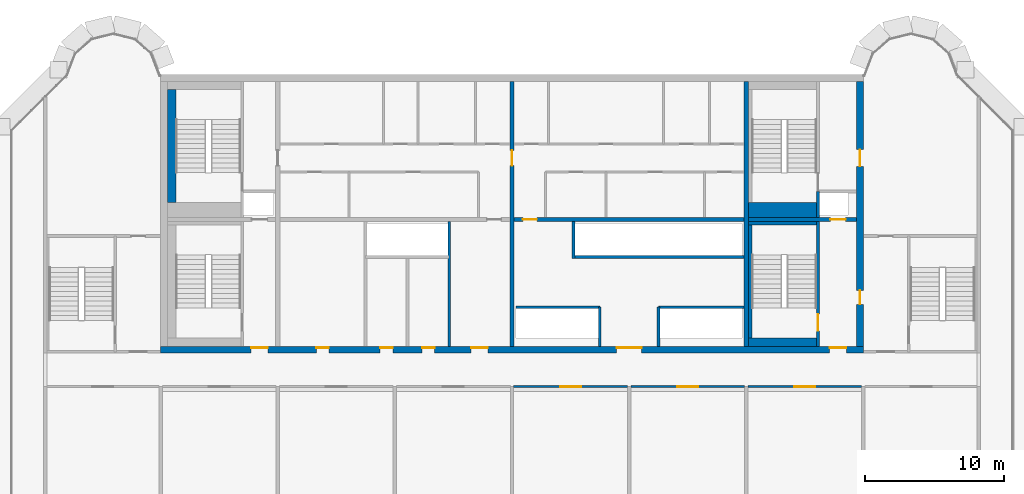
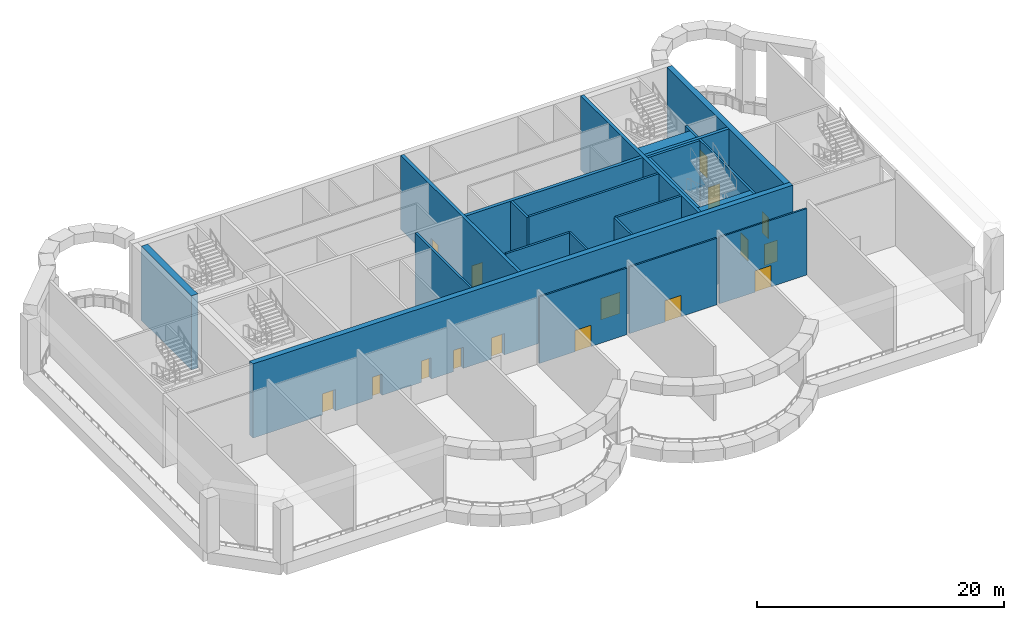
# One storey, part 3 of 11: 23 walls, 16 doors, 16 openings.
"""IFC4 building model written with IfcOpenShell, lengths in metres."""

from ifc_helpers import new_model, si_unit, direction, frame, frame_2d, origin, place, context, subcontext, project, spatial, rectangle, extrude, source, transform, mapped, material, layer, layer_set, type_object, element, fill, save


model = new_model("IFC4")

# Units and contexts
model_context = context("Model", 3, precision=1e-05, world=origin(), true_north=direction((0.0, 1.0)))
body_context = subcontext(model_context, "Body", "Model", "MODEL_VIEW")
ifc_project = project(units=[si_unit("LENGTHUNIT", "METRE"), si_unit("AREAUNIT", "SQUARE_METRE"), si_unit("VOLUMEUNIT", "CUBIC_METRE"), si_unit("PLANEANGLEUNIT", "RADIAN"), si_unit("MASSUNIT", "GRAM", prefix="KILO")], contexts=[model_context])

# Site, building, storey
site_placement = place(None, origin())
site = spatial("IfcSite", under=ifc_project, at=site_placement, CompositionType="ELEMENT")
building_placement = place(site_placement, origin())
building = spatial("IfcBuilding", under=site, at=building_placement, Name="Vanashikhar Sky Hotel", CompositionType="ELEMENT")
storey_placement = place(building_placement, frame((0.0, 0.0, 270.10009765625)))
storey = spatial("IfcBuildingStorey", under=building, at=storey_placement, Name="L65", CompositionType="ELEMENT", Elevation=270.10009765625)

# Wall, openings, doors
ifc_material_1 = material(Name="Concrete M50", Category="concrete")
ifc_layer_1 = layer(ifc_material_1, 0.5)
ifc_layer_set_1 = layer_set([ifc_layer_1], Name="RC core shell wall 500 Concrete M50")
wall_type_1 = type_object("IfcWallType", Name="RC core shell wall 500 Concrete M50", PredefinedType="SHEAR", material=ifc_layer_set_1)
shared_shape_1 = source(origin(), body_context, "Body", "SweptSolid", [
    extrude(rectangle(XDim=50.400146484375, YDim=0.5, at=frame_2d((25.2001953125, 0.0))), origin(), (0.0, 0.0, 1.0), 7.31982421875),
])
wall_1_placement = place(storey_placement, frame((25.199951171875, 22.25, 0.0), z_axis=(0.0, 0.0, 1.0), x_axis=(1.0, 0.0, 0.0)))
wall_1 = element("IfcWall", 1, at=wall_1_placement, inside=storey, type_object=wall_type_1, Name="KW-L65-KS", PredefinedType="SHEAR", context=body_context, shape_type="MappedRepresentation", body=[
    mapped(shared_shape_1, transform((0.0, 0.0, 0.0), scale=1.0)),
])
shared_shape_2 = source(origin(), body_context, "Body", "SweptSolid", [
    extrude(rectangle(XDim=1.199951171875, YDim=2.10009765625, at=frame_2d((0.60009765625, 1.050048828125))), frame((0.0, 0.260009765625, 0.0), z_axis=(0.0, -1.0, 0.0), x_axis=(1.0, 0.0, 0.0)), (0.0, 0.0, 1.0), 0.52001953125),
])
opening_1_placement = place(wall_1_placement, frame((22.27490234375, 0.0, 0.0)))
opening_1 = element("IfcOpeningElement", 2, at=opening_1_placement, cuts=wall_1, Name="Opening DC-4-B", PredefinedType="OPENING", context=body_context, shape_type="MappedRepresentation", body=[
    mapped(shared_shape_2, transform((0.0, 0.0, 0.0), scale=1.0)),
])
shared_shape_3 = source(origin(), body_context, "Body", "SweptSolid", [
    extrude(rectangle(XDim=0.89990234375, YDim=2.10009765625, at=frame_2d((0.449951171875, 1.050048828125))), frame((0.0, 0.260009765625, 0.0), z_axis=(0.0, -1.0, 0.0), x_axis=(1.0, 0.0, 0.0)), (0.0, 0.0, 1.0), 0.52001953125),
])
opening_2_placement = place(wall_1_placement, frame((15.75, 0.0, 0.0)))
opening_2 = element("IfcOpeningElement", 3, at=opening_2_placement, cuts=wall_1, Name="Opening DC-4-A", PredefinedType="OPENING", context=body_context, shape_type="MappedRepresentation", body=[
    mapped(shared_shape_3, transform((0.0, 0.0, 0.0), scale=1.0)),
])
opening_3_placement = place(wall_1_placement, frame((18.75, 0.0, 0.0)))
opening_3 = element("IfcOpeningElement", 4, at=opening_3_placement, cuts=wall_1, Name="Opening DC-4-A", PredefinedType="OPENING", context=body_context, shape_type="MappedRepresentation", body=[
    mapped(shared_shape_3, transform((0.0, 0.0, 0.0), scale=1.0)),
])
opening_4_placement = place(wall_1_placement, frame((11.175048828125, 0.0, 0.0)))
opening_4 = element("IfcOpeningElement", 5, at=opening_4_placement, cuts=wall_1, Name="Opening DC-4-A", PredefinedType="OPENING", context=body_context, shape_type="MappedRepresentation", body=[
    mapped(shared_shape_3, transform((0.0, 0.0, 0.0), scale=1.0)),
])
shared_shape_4 = source(origin(), body_context, "Body", "SweptSolid", [
    extrude(rectangle(XDim=1.800048828125, YDim=2.10009765625, at=frame_2d((0.89990234375, 1.050048828125))), frame((0.0, 0.260009765625, 0.0), z_axis=(0.0, -1.0, 0.0), x_axis=(1.0, 0.0, 0.0)), (0.0, 0.0, 1.0), 0.52001953125),
])
opening_5_placement = place(wall_1_placement, frame((32.699951171875, 0.0, 0.0)))
opening_5 = element("IfcOpeningElement", 6, at=opening_5_placement, cuts=wall_1, Name="Opening DC-3", PredefinedType="OPENING", context=body_context, shape_type="MappedRepresentation", body=[
    mapped(shared_shape_4, transform((0.0, 0.0, 0.0), scale=1.0)),
])
opening_6_placement = place(wall_1_placement, frame((6.5, 0.0, 0.0)))
opening_6 = element("IfcOpeningElement", 7, at=opening_6_placement, cuts=wall_1, Name="Opening DC-2", PredefinedType="OPENING", context=body_context, shape_type="MappedRepresentation", body=[
    mapped(shared_shape_2, transform((0.0, 0.0, 0.0), scale=1.0)),
])
opening_7_placement = place(wall_1_placement, frame((47.97509765625, 0.0, 0.0)))
opening_7 = element("IfcOpeningElement", 8, at=opening_7_placement, cuts=wall_1, Name="Opening DC-2", PredefinedType="OPENING", context=body_context, shape_type="MappedRepresentation", body=[
    mapped(shared_shape_2, transform((0.0, 0.0, 0.0), scale=1.0)),
])
ifc_material_2 = material(Name="Steel", Category="steel")
door_type_1 = type_object("IfcDoorType", Name="Service door 1200 FD60", OperationType="NOTDEFINED", PredefinedType="DOOR", material=ifc_material_2)
shared_shape_5 = source(origin(), body_context, "Body", "SweptSolid", [
    extrude(rectangle(XDim=1.199951171875, YDim=2.10009765625, at=frame_2d((0.60009765625, 1.050048828125))), frame((0.0, 0.1748046875, 0.0), z_axis=(0.0, -1.0, 0.0), x_axis=(1.0, 0.0, 0.0)), (0.0, 0.0, 1.0), 0.050048828125),
])
door_1_placement = place(opening_1_placement, origin())
door_1 = element("IfcDoor", 9, at=door_1_placement, inside=storey, type_object=door_type_1, Name="Service door 1200 FD60", OperationType="SINGLE_SWING_RIGHT", OverallHeight=2.10009765625, OverallWidth=1.199951171875, PredefinedType="DOOR", context=body_context, shape_type="MappedRepresentation", body=[
    mapped(shared_shape_5, transform((0.0, 0.0, 0.0), scale=1.0)),
])
fill(opening_1, door_1)
door_type_2 = type_object("IfcDoorType", Name="Firefighting lobby door 1200 FD120", OperationType="NOTDEFINED", PredefinedType="DOOR", material=ifc_material_2)
door_2_placement = place(opening_6_placement, origin())
door_2 = element("IfcDoor", 10, at=door_2_placement, inside=storey, type_object=door_type_2, Name="Firefighting lobby door 1200 FD120", OperationType="SINGLE_SWING_LEFT", OverallHeight=2.10009765625, OverallWidth=1.199951171875, PredefinedType="DOOR", context=body_context, shape_type="MappedRepresentation", body=[
    mapped(shared_shape_5, transform((0.0, 0.0, 0.0), scale=1.0)),
])
fill(opening_6, door_2)
door_3_placement = place(opening_7_placement, origin())
door_3 = element("IfcDoor", 11, at=door_3_placement, inside=storey, type_object=door_type_2, Name="Firefighting lobby door 1200 FD120", OperationType="SINGLE_SWING_RIGHT", OverallHeight=2.10009765625, OverallWidth=1.199951171875, PredefinedType="DOOR", context=body_context, shape_type="MappedRepresentation", body=[
    mapped(shared_shape_5, transform((0.0, 0.0, 0.0), scale=1.0)),
])
fill(opening_7, door_3)
door_type_3 = type_object("IfcDoorType", Name="Service door 900 FD60", OperationType="NOTDEFINED", PredefinedType="DOOR", material=ifc_material_2)
shared_shape_6 = source(origin(), body_context, "Body", "SweptSolid", [
    extrude(rectangle(XDim=0.89990234375, YDim=2.10009765625, at=frame_2d((0.449951171875, 1.050048828125))), frame((0.0, 0.1748046875, 0.0), z_axis=(0.0, -1.0, 0.0), x_axis=(1.0, 0.0, 0.0)), (0.0, 0.0, 1.0), 0.050048828125),
])
door_4_placement = place(opening_2_placement, origin())
door_4 = element("IfcDoor", 12, at=door_4_placement, inside=storey, type_object=door_type_3, Name="Service door 900 FD60", OperationType="SINGLE_SWING_LEFT", OverallHeight=2.10009765625, OverallWidth=0.89990234375, PredefinedType="DOOR", context=body_context, shape_type="MappedRepresentation", body=[
    mapped(shared_shape_6, transform((0.0, 0.0, 0.0), scale=1.0)),
])
fill(opening_2, door_4)
door_5_placement = place(opening_3_placement, origin())
door_5 = element("IfcDoor", 13, at=door_5_placement, inside=storey, type_object=door_type_3, Name="Service door 900 FD60", OperationType="SINGLE_SWING_RIGHT", OverallHeight=2.10009765625, OverallWidth=0.89990234375, PredefinedType="DOOR", context=body_context, shape_type="MappedRepresentation", body=[
    mapped(shared_shape_6, transform((0.0, 0.0, 0.0), scale=1.0)),
])
fill(opening_3, door_5)
door_6_placement = place(opening_4_placement, origin())
door_6 = element("IfcDoor", 14, at=door_6_placement, inside=storey, type_object=door_type_3, Name="Service door 900 FD60", OperationType="SINGLE_SWING_LEFT", OverallHeight=2.10009765625, OverallWidth=0.89990234375, PredefinedType="DOOR", context=body_context, shape_type="MappedRepresentation", body=[
    mapped(shared_shape_6, transform((0.0, 0.0, 0.0), scale=1.0)),
])
fill(opening_4, door_6)
ifc_material_3 = material(Name="Glass", Category="glass")
door_type_4 = type_object("IfcDoorType", Name="Lift lobby entrance door 1800 FD60", OperationType="NOTDEFINED", PredefinedType="DOOR", material=ifc_material_3)
shared_shape_7 = source(origin(), body_context, "Body", "SweptSolid", [
    extrude(rectangle(XDim=1.800048828125, YDim=2.10009765625, at=frame_2d((0.89990234375, 1.050048828125))), frame((0.0, 0.1748046875, 0.0), z_axis=(0.0, -1.0, 0.0), x_axis=(1.0, 0.0, 0.0)), (0.0, 0.0, 1.0), 0.050048828125),
])
door_7_placement = place(opening_5_placement, origin())
door_7 = element("IfcDoor", 15, at=door_7_placement, inside=storey, type_object=door_type_4, Name="Lift lobby entrance door 1800 FD60", OperationType="DOUBLE_DOOR_SINGLE_SWING", OverallHeight=2.10009765625, OverallWidth=1.800048828125, PredefinedType="DOOR", context=body_context, shape_type="MappedRepresentation", body=[
    mapped(shared_shape_7, transform((0.0, 0.0, 0.0), scale=1.0)),
])
fill(opening_5, door_7)

shared_shape_8 = source(origin(), body_context, "Body", "SweptSolid", [
    extrude(rectangle(XDim=19.0, YDim=0.5, at=frame_2d((9.5, 0.0))), origin(), (0.0, 0.0, 1.0), 7.31982421875),
])
wall_2_placement = place(storey_placement, frame((75.35009765625, 22.5, 0.0), z_axis=(0.0, 0.0, 1.0), x_axis=(0.0, 1.0, 0.0)))
wall_2 = element("IfcWall", 16, at=wall_2_placement, inside=storey, type_object=wall_type_1, Name="KW-L65-KE", PredefinedType="SHEAR", context=body_context, shape_type="MappedRepresentation", body=[
    mapped(shared_shape_8, transform((0.0, 0.0, 0.0), scale=1.0)),
])
shared_shape_9 = source(origin(), body_context, "Body", "SweptSolid", [
    extrude(rectangle(XDim=1.0, YDim=2.10009765625, at=frame_2d((0.5, 1.050048828125))), frame((0.0, 0.260009765625, 0.0), z_axis=(0.0, -1.0, 0.0), x_axis=(1.0, 0.0, 0.0)), (0.0, 0.0, 1.0), 0.52001953125),
])
opening_8_placement = place(wall_2_placement, frame((3.0, 0.0, 0.0)))
opening_8 = element("IfcOpeningElement", 17, at=opening_8_placement, cuts=wall_2, Name="Opening DC-5", PredefinedType="OPENING", context=body_context, shape_type="MappedRepresentation", body=[
    mapped(shared_shape_9, transform((0.0, 0.0, 0.0), scale=1.0)),
])
opening_9_placement = place(wall_2_placement, frame((12.89990234375, 0.0, 0.0)))
opening_9 = element("IfcOpeningElement", 18, at=opening_9_placement, cuts=wall_2, Name="Opening DC-4-D", PredefinedType="OPENING", context=body_context, shape_type="MappedRepresentation", body=[
    mapped(shared_shape_2, transform((0.0, 0.0, 0.0), scale=1.0)),
])
door_type_5 = type_object("IfcDoorType", Name="Refuge door 1000 FD120", OperationType="NOTDEFINED", PredefinedType="DOOR", material=ifc_material_2)
shared_shape_10 = source(origin(), body_context, "Body", "SweptSolid", [
    extrude(rectangle(XDim=1.0, YDim=2.10009765625, at=frame_2d((0.5, 1.050048828125))), frame((0.0, 0.02490234375, 0.0), z_axis=(0.0, -1.0, 0.0), x_axis=(1.0, 0.0, 0.0)), (0.0, 0.0, 1.0), 0.050048828125),
])
door_8_placement = place(opening_8_placement, origin())
door_8 = element("IfcDoor", 19, at=door_8_placement, inside=storey, type_object=door_type_5, Name="Refuge door 1000 FD120", OperationType="SINGLE_SWING_RIGHT", OverallHeight=2.10009765625, OverallWidth=1.0, PredefinedType="DOOR", context=body_context, shape_type="MappedRepresentation", body=[
    mapped(shared_shape_10, transform((0.0, 0.0, 0.0), scale=1.0)),
])
fill(opening_8, door_8)
door_type_6 = type_object("IfcDoorType", Name="Service door 1200 FD120", OperationType="NOTDEFINED", PredefinedType="DOOR", material=ifc_material_2)
shared_shape_11 = source(origin(), body_context, "Body", "SweptSolid", [
    extrude(rectangle(XDim=1.199951171875, YDim=2.10009765625, at=frame_2d((0.60009765625, 1.050048828125))), frame((0.0, 0.02490234375, 0.0), z_axis=(0.0, -1.0, 0.0), x_axis=(1.0, 0.0, 0.0)), (0.0, 0.0, 1.0), 0.050048828125),
])
door_9_placement = place(opening_9_placement, origin())
door_9 = element("IfcDoor", 20, at=door_9_placement, inside=storey, type_object=door_type_6, Name="Service door 1200 FD120", OperationType="SINGLE_SWING_RIGHT", OverallHeight=2.10009765625, OverallWidth=1.199951171875, PredefinedType="DOOR", context=body_context, shape_type="MappedRepresentation", body=[
    mapped(shared_shape_11, transform((0.0, 0.0, 0.0), scale=1.0)),
])
fill(opening_9, door_9)

# Wall, opening, door
ifc_layer_2 = layer(ifc_material_1, 0.300048828125)
ifc_layer_set_2 = layer_set([ifc_layer_2], Name="RC core inner wall 300 Concrete M50")
wall_type_2 = type_object("IfcWallType", Name="RC core inner wall 300 Concrete M50", PredefinedType="SHEAR", material=ifc_layer_set_2)
shared_shape_12 = source(origin(), body_context, "Body", "SweptSolid", [
    extrude(rectangle(XDim=19.0, YDim=0.300048828125, at=frame_2d((9.5, 0.0))), origin(), (0.0, 0.0, 1.0), 7.31982421875),
])
wall_3_placement = place(storey_placement, frame((50.39990234375, 22.5, 0.0), z_axis=(0.0, 0.0, 1.0), x_axis=(0.0, 1.0, 0.0)))
wall_3 = element("IfcWall", 21, at=wall_3_placement, inside=storey, type_object=wall_type_2, Name="KW-L65-KX2", PredefinedType="SHEAR", context=body_context, shape_type="MappedRepresentation", body=[
    mapped(shared_shape_12, transform((0.0, 0.0, 0.0), scale=1.0)),
])
shared_shape_13 = source(origin(), body_context, "Body", "SweptSolid", [
    extrude(rectangle(XDim=1.10009765625, YDim=2.10009765625, at=frame_2d((0.550048828125, 1.050048828125))), frame((0.0, 0.16015625, 0.0), z_axis=(0.0, -1.0, 0.0), x_axis=(1.0, 0.0, 0.0)), (0.0, 0.0, 1.0), 0.320068359375),
])
opening_10_placement = place(wall_3_placement, frame((12.949951171875, 0.0, 0.0)))
opening_10 = element("IfcOpeningElement", 22, at=opening_10_placement, cuts=wall_3, Name="Opening DC-4-C", PredefinedType="OPENING", context=body_context, shape_type="MappedRepresentation", body=[
    mapped(shared_shape_13, transform((0.0, 0.0, 0.0), scale=1.0)),
])
door_type_7 = type_object("IfcDoorType", Name="Service door 1100 FD60", OperationType="NOTDEFINED", PredefinedType="DOOR", material=ifc_material_2)
shared_shape_14 = source(origin(), body_context, "Body", "SweptSolid", [
    extrude(rectangle(XDim=1.10009765625, YDim=2.10009765625, at=frame_2d((0.550048828125, 1.050048828125))), frame((0.0, 0.02490234375, 0.0), z_axis=(0.0, -1.0, 0.0), x_axis=(1.0, 0.0, 0.0)), (0.0, 0.0, 1.0), 0.050048828125),
])
door_10_placement = place(opening_10_placement, origin())
door_10 = element("IfcDoor", 23, at=door_10_placement, inside=storey, type_object=door_type_7, Name="Service door 1100 FD60", OperationType="SINGLE_SWING_RIGHT", OverallHeight=2.10009765625, OverallWidth=1.10009765625, PredefinedType="DOOR", context=body_context, shape_type="MappedRepresentation", body=[
    mapped(shared_shape_14, transform((0.0, 0.0, 0.0), scale=1.0)),
])
fill(opening_10, door_10)

# Wall
wall_4_placement = place(storey_placement, frame((67.199951171875, 22.5, 0.0), z_axis=(0.0, 0.0, 1.0), x_axis=(0.0, 1.0, 0.0)))
element("IfcWall", 24, at=wall_4_placement, inside=storey, type_object=wall_type_2, Name="KW-L65-KX3", PredefinedType="SHEAR", context=body_context, shape_type="MappedRepresentation", body=[
    mapped(shared_shape_12, transform((0.0, 0.0, 0.0), scale=1.0)),
])

# Wall, opening, door
shared_shape_15 = source(origin(), body_context, "Body", "SweptSolid", [
    extrude(rectangle(XDim=7.75, YDim=0.300048828125, at=frame_2d((3.875, 0.0))), origin(), (0.0, 0.0, 1.0), 7.31982421875),
])
wall_5_placement = place(storey_placement, frame((67.35009765625, 31.60009765625, 0.0), z_axis=(0.0, 0.0, 1.0), x_axis=(1.0, 0.0, 0.0)))
wall_5 = element("IfcWall", 25, at=wall_5_placement, inside=storey, type_object=wall_type_2, Name="KW-L65-KY4", PredefinedType="SHEAR", context=body_context, shape_type="MappedRepresentation", body=[
    mapped(shared_shape_15, transform((0.0, 0.0, 0.0), scale=1.0)),
])
opening_11_placement = place(wall_5_placement, frame((5.875, 0.0, 0.0)))
opening_11 = element("IfcOpeningElement", 26, at=opening_11_placement, cuts=wall_5, Name="Opening LD", PredefinedType="OPENING", context=body_context, shape_type="MappedRepresentation", body=[
    mapped(shared_shape_13, transform((0.0, 0.0, 0.0), scale=1.0)),
])
ifc_material_4 = material(Name="Stainless steel", Category="steel")
door_type_8 = type_object("IfcDoorType", Name="Lift landing door 1100", OperationType="NOTDEFINED", PredefinedType="DOOR", material=ifc_material_4)
door_11_placement = place(opening_11_placement, origin())
door_11 = element("IfcDoor", 27, at=door_11_placement, inside=storey, type_object=door_type_8, Name="Lift landing door 1100", OperationType="SLIDING_TO_LEFT", OverallHeight=2.10009765625, OverallWidth=1.10009765625, PredefinedType="DOOR", context=body_context, shape_type="MappedRepresentation", body=[
    mapped(shared_shape_14, transform((0.0, 0.0, 0.0), scale=1.0)),
])
fill(opening_11, door_11)

shared_shape_16 = source(origin(), body_context, "Body", "SweptSolid", [
    extrude(rectangle(XDim=16.5, YDim=0.300048828125, at=frame_2d((8.25, 0.0))), origin(), (0.0, 0.0, 1.0), 7.31982421875),
])
wall_6_placement = place(storey_placement, frame((50.550048828125, 31.60009765625, 0.0), z_axis=(0.0, 0.0, 1.0), x_axis=(1.0, 0.0, 0.0)))
wall_6 = element("IfcWall", 28, at=wall_6_placement, inside=storey, type_object=wall_type_2, Name="KW-L65-KY3", PredefinedType="SHEAR", context=body_context, shape_type="MappedRepresentation", body=[
    mapped(shared_shape_16, transform((0.0, 0.0, 0.0), scale=1.0)),
])
shared_shape_17 = source(origin(), body_context, "Body", "SweptSolid", [
    extrude(rectangle(XDim=1.0, YDim=2.10009765625, at=frame_2d((0.5, 1.050048828125))), frame((0.0, 0.16015625, 0.0), z_axis=(0.0, -1.0, 0.0), x_axis=(1.0, 0.0, 0.0)), (0.0, 0.0, 1.0), 0.320068359375),
])
opening_12_placement = place(wall_6_placement, frame((0.625, 0.0, 0.0)))
opening_12 = element("IfcOpeningElement", 29, at=opening_12_placement, cuts=wall_6, Name="Opening DC-4", PredefinedType="OPENING", context=body_context, shape_type="MappedRepresentation", body=[
    mapped(shared_shape_17, transform((0.0, 0.0, 0.0), scale=1.0)),
])
door_type_9 = type_object("IfcDoorType", Name="Service door 1000 FD60", OperationType="NOTDEFINED", PredefinedType="DOOR", material=ifc_material_2)
door_12_placement = place(opening_12_placement, origin())
door_12 = element("IfcDoor", 30, at=door_12_placement, inside=storey, type_object=door_type_9, Name="Service door 1000 FD60", OperationType="SINGLE_SWING_RIGHT", OverallHeight=2.10009765625, OverallWidth=1.0, PredefinedType="DOOR", context=body_context, shape_type="MappedRepresentation", body=[
    mapped(shared_shape_10, transform((0.0, 0.0, 0.0), scale=1.0)),
])
fill(opening_12, door_12)

# Walls
ifc_material_5 = material(Name="Concrete M40", Category="concrete")
ifc_layer_3 = layer(ifc_material_5, 0.199951171875)
ifc_layer_set_3 = layer_set([ifc_layer_3], Name="Shaft wall 200")
wall_type_3 = type_object("IfcWallType", Name="Shaft wall 200", PredefinedType="SOLIDWALL", material=ifc_layer_set_3)
shared_shape_18 = source(origin(), body_context, "Body", "SweptSolid", [
    extrude(rectangle(XDim=6.0, YDim=0.199951171875, at=frame_2d((3.0, 0.0))), origin(), (0.0, 0.0, 1.0), 7.31982421875),
])
wall_7_placement = place(storey_placement, frame((56.699951171875, 25.300048828125, 0.0), z_axis=(0.0, 0.0, 1.0), x_axis=(-1.0, 0.0, 0.0)))
element("IfcWall", 31, at=wall_7_placement, inside=storey, type_object=wall_type_3, Name="Shaft wall 200", PredefinedType="SOLIDWALL", context=body_context, shape_type="MappedRepresentation", body=[
    mapped(shared_shape_18, transform((0.0, 0.0, 0.0), scale=1.0)),
])
ifc_material_6 = material(Name="Gypsum board partition")
ifc_layer_4 = layer(ifc_material_6, 0.14990234375)
ifc_layer_set_4 = layer_set([ifc_layer_4], Name="Service partition 150")
wall_type_4 = type_object("IfcWallType", Name="Service partition 150", PredefinedType="PARTITIONING", material=ifc_layer_set_4)
shared_shape_19 = source(origin(), body_context, "Body", "SweptSolid", [
    extrude(rectangle(XDim=8.949951171875, YDim=0.199951171875, at=frame_2d((4.47509765625, 0.0))), origin(), (0.0, 0.0, 1.0), 7.31982421875),
])
wall_8_placement = place(storey_placement, frame((45.89990234375, 22.5, 0.0), z_axis=(0.0, 0.0, 1.0), x_axis=(0.0, 1.0, 0.0)))
element("IfcWall", 32, at=wall_8_placement, inside=storey, type_object=wall_type_4, Name="Service partition 150", PredefinedType="PARTITIONING", context=body_context, shape_type="MappedRepresentation", body=[
    mapped(shared_shape_19, transform((0.0, 0.0, 0.0), scale=1.0)),
])
shared_shape_20 = source(origin(), body_context, "Body", "SweptSolid", [
    extrude(rectangle(XDim=6.150146484375, YDim=0.199951171875, at=frame_2d((3.0751953125, 0.0))), origin(), (0.0, 0.0, 1.0), 7.31982421875),
])
wall_9_placement = place(storey_placement, frame((67.050048828125, 25.300048828125, 0.0), z_axis=(0.0, 0.0, 1.0), x_axis=(-1.0, 0.0, 0.0)))
element("IfcWall", 33, at=wall_9_placement, inside=storey, type_object=wall_type_3, Name="Shaft wall 200", PredefinedType="SOLIDWALL", context=body_context, shape_type="MappedRepresentation", body=[
    mapped(shared_shape_20, transform((0.0, 0.0, 0.0), scale=1.0)),
])
shared_shape_21 = source(origin(), body_context, "Body", "SweptSolid", [
    extrude(rectangle(XDim=12.150146484375, YDim=0.199951171875, at=frame_2d((6.0751953125, 0.0))), origin(), (0.0, 0.0, 1.0), 7.31982421875),
])
wall_10_placement = place(storey_placement, frame((67.050048828125, 28.89990234375, 0.0), z_axis=(0.0, 0.0, 1.0), x_axis=(-1.0, 0.0, 0.0)))
element("IfcWall", 34, at=wall_10_placement, inside=storey, type_object=wall_type_3, Name="Shaft wall 200", PredefinedType="SOLIDWALL", context=body_context, shape_type="MappedRepresentation", body=[
    mapped(shared_shape_21, transform((0.0, 0.0, 0.0), scale=1.0)),
])
shared_shape_22 = source(origin(), body_context, "Body", "SweptSolid", [
    extrude(rectangle(XDim=2.800048828125, YDim=0.199951171875, at=frame_2d((1.39990234375, 0.0))), origin(), (0.0, 0.0, 1.0), 7.31982421875),
])
for number, where, z_axis, x_axis, name in (
    (35, (60.89990234375, 22.5, 0.0), (0.0, 0.0, 1.0), (0.0, 1.0, 0.0), "Shaft wall 200"),
    (36, (56.699951171875, 22.5, 0.0), (0.0, 0.0, 1.0), (0.0, 1.0, 0.0), "Shaft wall 200"),
):
    element("IfcWall", number, at=place(storey_placement, frame(where, z_axis=z_axis, x_axis=x_axis)), inside=storey, type_object=wall_type_3, Name=name, PredefinedType="SOLIDWALL", context=body_context, shape_type="MappedRepresentation", body=[
        mapped(shared_shape_22, transform((0.0, 0.0, 0.0), scale=1.0)),
    ])
shared_shape_23 = source(origin(), body_context, "Body", "SweptSolid", [
    extrude(rectangle(XDim=2.64990234375, YDim=0.199951171875, at=frame_2d((1.324951171875, 0.0))), origin(), (0.0, 0.0, 1.0), 7.31982421875),
])
wall_11_placement = place(storey_placement, frame((54.800048828125, 28.800048828125, 0.0), z_axis=(0.0, 0.0, 1.0), x_axis=(0.0, 1.0, 0.0)))
element("IfcWall", 37, at=wall_11_placement, inside=storey, type_object=wall_type_3, Name="Shaft wall 200", PredefinedType="SOLIDWALL", context=body_context, shape_type="MappedRepresentation", body=[
    mapped(shared_shape_23, transform((0.0, 0.0, 0.0), scale=1.0)),
])

# Wall, opening, door
ifc_layer_5 = layer(ifc_material_1, 0.199951171875)
ifc_layer_set_5 = layer_set([ifc_layer_5], Name="Stair wall 200")
wall_type_5 = type_object("IfcWallType", Name="Stair wall 200", PredefinedType="SOLIDWALL", material=ifc_layer_set_5)
shared_shape_24 = source(origin(), body_context, "Body", "SweptSolid", [
    extrude(rectangle(XDim=8.949951171875, YDim=0.199951171875, at=frame_2d((4.47509765625, 0.0))), origin(), (0.0, 0.0, 1.0), 7.31982421875),
])
wall_12_placement = place(storey_placement, frame((72.35009765625, 22.5, 0.0), z_axis=(0.0, 0.0, 1.0), x_axis=(0.0, 1.0, 0.0)))
wall_12 = element("IfcWall", 38, at=wall_12_placement, inside=storey, type_object=wall_type_5, Name="Stair wall 200", PredefinedType="SOLIDWALL", context=body_context, shape_type="MappedRepresentation", body=[
    mapped(shared_shape_24, transform((0.0, 0.0, 0.0), scale=1.0)),
])
shared_shape_25 = source(origin(), body_context, "Body", "SweptSolid", [
    extrude(rectangle(XDim=1.199951171875, YDim=2.10009765625, at=frame_2d((0.60009765625, 1.050048828125))), frame((0.0, 0.10986328125, 0.0), z_axis=(0.0, -1.0, 0.0), x_axis=(1.0, 0.0, 0.0)), (0.0, 0.0, 1.0), 0.219970703125),
])
opening_13_placement = place(wall_12_placement, frame((1.10009765625, 0.0, 0.0)))
opening_13 = element("IfcOpeningElement", 39, at=opening_13_placement, cuts=wall_12, Name="Opening DC-1", PredefinedType="OPENING", context=body_context, shape_type="MappedRepresentation", body=[
    mapped(shared_shape_25, transform((0.0, 0.0, 0.0), scale=1.0)),
])
door_type_10 = type_object("IfcDoorType", Name="Stair door 1200 FD120", OperationType="NOTDEFINED", PredefinedType="DOOR", material=ifc_material_2)
door_13_placement = place(opening_13_placement, origin())
door_13 = element("IfcDoor", 40, at=door_13_placement, inside=storey, type_object=door_type_10, Name="Stair door 1200 FD120", OperationType="SINGLE_SWING_LEFT", OverallHeight=2.10009765625, OverallWidth=1.199951171875, PredefinedType="DOOR", context=body_context, shape_type="MappedRepresentation", body=[
    mapped(shared_shape_11, transform((0.0, 0.0, 0.0), scale=1.0)),
])
fill(opening_13, door_13)

# Walls
shared_shape_26 = source(origin(), body_context, "Body", "SweptSolid", [
    extrude(rectangle(XDim=1.85009765625, YDim=0.199951171875, at=frame_2d((0.925048828125, 0.0))), origin(), (0.0, 0.0, 1.0), 7.31982421875),
])
wall_13_placement = place(storey_placement, frame((72.35009765625, 31.75, 0.0), z_axis=(0.0, 0.0, 1.0), x_axis=(0.0, 1.0, 0.0)))
element("IfcWall", 41, at=wall_13_placement, inside=storey, type_object=wall_type_3, Name="Shaft wall 200", PredefinedType="SOLIDWALL", context=body_context, shape_type="MappedRepresentation", body=[
    mapped(shared_shape_26, transform((0.0, 0.0, 0.0), scale=1.0)),
])
ifc_layer_6 = layer(ifc_material_1, 0.60009765625)
ifc_layer_set_6 = layer_set([ifc_layer_6], Name="Stair infill wall 600")
wall_type_6 = type_object("IfcWallType", Name="Stair infill wall 600", PredefinedType="SOLIDWALL", material=ifc_layer_set_6)
shared_shape_27 = source(origin(), body_context, "Body", "SweptSolid", [
    extrude(rectangle(XDim=8.099853515625, YDim=0.60009765625, at=frame_2d((4.0498046875, 0.0))), origin(), (0.0, 0.0, 1.0), 7.31982421875),
])
wall_14_placement = place(storey_placement, frame((26.0, 32.800048828125, 0.0), z_axis=(0.0, 0.0, 1.0), x_axis=(0.0, 1.0, 0.0)))
element("IfcWall", 42, at=wall_14_placement, inside=storey, type_object=wall_type_6, Name="Stair infill wall 600", PredefinedType="SOLIDWALL", context=body_context, shape_type="MappedRepresentation", body=[
    mapped(shared_shape_27, transform((0.0, 0.0, 0.0), scale=1.0)),
])
shared_shape_28 = source(origin(), body_context, "Body", "SweptSolid", [
    extrude(rectangle(XDim=4.89990234375, YDim=0.60009765625, at=frame_2d((2.449951171875, 0.0))), origin(), (0.0, 0.0, 1.0), 7.31982421875),
])
wall_15_placement = place(storey_placement, frame((67.35009765625, 22.800048828125, 0.0), z_axis=(0.0, 0.0, 1.0), x_axis=(1.0, 0.0, 0.0)))
element("IfcWall", 43, at=wall_15_placement, inside=storey, type_object=wall_type_6, Name="Stair infill wall 600", PredefinedType="SOLIDWALL", context=body_context, shape_type="MappedRepresentation", body=[
    mapped(shared_shape_28, transform((0.0, 0.0, 0.0), scale=1.0)),
])
ifc_layer_7 = layer(ifc_material_1, 0.25)
ifc_layer_set_7 = layer_set([ifc_layer_7], Name="Stair infill wall 250")
wall_type_7 = type_object("IfcWallType", Name="Stair infill wall 250", PredefinedType="SOLIDWALL", material=ifc_layer_set_7)
shared_shape_29 = source(origin(), body_context, "Body", "SweptSolid", [
    extrude(rectangle(XDim=4.89990234375, YDim=0.25, at=frame_2d((2.449951171875, 0.0))), origin(), (0.0, 0.0, 1.0), 7.31982421875),
])
wall_16_placement = place(storey_placement, frame((67.35009765625, 31.324951171875, 0.0), z_axis=(0.0, 0.0, 1.0), x_axis=(1.0, 0.0, 0.0)))
element("IfcWall", 44, at=wall_16_placement, inside=storey, type_object=wall_type_7, Name="Stair infill wall 250", PredefinedType="SOLIDWALL", context=body_context, shape_type="MappedRepresentation", body=[
    mapped(shared_shape_29, transform((0.0, 0.0, 0.0), scale=1.0)),
])
shared_shape_30 = source(origin(), body_context, "Body", "SweptSolid", [
    extrude(rectangle(XDim=8.099853515625, YDim=0.25, at=frame_2d((4.0498046875, 0.0))), origin(), (0.0, 0.0, 1.0), 7.31982421875),
])
wall_17_placement = place(storey_placement, frame((67.47509765625, 23.10009765625, 0.0), z_axis=(0.0, 0.0, 1.0), x_axis=(0.0, 1.0, 0.0)))
element("IfcWall", 45, at=wall_17_placement, inside=storey, type_object=wall_type_7, Name="Stair infill wall 250", PredefinedType="SOLIDWALL", context=body_context, shape_type="MappedRepresentation", body=[
    mapped(shared_shape_30, transform((0.0, 0.0, 0.0), scale=1.0)),
])
ifc_layer_8 = layer(ifc_material_1, 1.050048828125)
ifc_layer_set_8 = layer_set([ifc_layer_8], Name="Stair infill wall 1050")
wall_type_8 = type_object("IfcWallType", Name="Stair infill wall 1050", PredefinedType="SOLIDWALL", material=ifc_layer_set_8)
shared_shape_31 = source(origin(), body_context, "Body", "SweptSolid", [
    extrude(rectangle(XDim=4.89990234375, YDim=1.050048828125, at=frame_2d((2.449951171875, 0.0))), origin(), (0.0, 0.0, 1.0), 7.31982421875),
])
wall_18_placement = place(storey_placement, frame((67.35009765625, 32.27490234375, 0.0), z_axis=(0.0, 0.0, 1.0), x_axis=(1.0, 0.0, 0.0)))
element("IfcWall", 46, at=wall_18_placement, inside=storey, type_object=wall_type_8, Name="Stair infill wall 1050", PredefinedType="SOLIDWALL", context=body_context, shape_type="MappedRepresentation", body=[
    mapped(shared_shape_31, transform((0.0, 0.0, 0.0), scale=1.0)),
])

# Wall, opening, door
shared_shape_32 = source(origin(), body_context, "Body", "SweptSolid", [
    extrude(rectangle(XDim=8.150146484375, YDim=0.14990234375, at=frame_2d((4.0751953125, 0.0))), origin(), (0.0, 0.0, 1.0), 6.56982421875),
])
wall_19_placement = place(storey_placement, frame((50.52490234375, 19.60009765625, 0.0), z_axis=(0.0, 0.0, 1.0), x_axis=(1.0, 0.0, 0.0)))
wall_19 = element("IfcWall", 47, at=wall_19_placement, inside=storey, type_object=wall_type_4, Name="Service partition 150", PredefinedType="PARTITIONING", context=body_context, shape_type="MappedRepresentation", body=[
    mapped(shared_shape_32, transform((0.0, 0.0, 0.0), scale=1.0)),
])
shared_shape_33 = source(origin(), body_context, "Body", "SweptSolid", [
    extrude(rectangle(XDim=1.5, YDim=2.10009765625, at=frame_2d((0.75, 1.050048828125))), frame((0.0, 0.0849609375, 0.0), z_axis=(0.0, -1.0, 0.0), x_axis=(1.0, 0.0, 0.0)), (0.0, 0.0, 1.0), 0.169921875),
])
opening_14_placement = place(wall_19_placement, frame((3.324951171875, 0.0, 0.0)))
opening_14 = element("IfcOpeningElement", 48, at=opening_14_placement, cuts=wall_19, Name="Opening DC-4-E", PredefinedType="OPENING", context=body_context, shape_type="MappedRepresentation", body=[
    mapped(shared_shape_33, transform((0.0, 0.0, 0.0), scale=1.0)),
])
door_type_11 = type_object("IfcDoorType", Name="Service door 1500 FD60", OperationType="NOTDEFINED", PredefinedType="DOOR", material=ifc_material_2)
shared_shape_34 = source(origin(), body_context, "Body", "SweptSolid", [
    extrude(rectangle(XDim=1.5, YDim=2.10009765625, at=frame_2d((0.75, 1.050048828125))), frame((0.0, 0.02490234375, 0.0), z_axis=(0.0, -1.0, 0.0), x_axis=(1.0, 0.0, 0.0)), (0.0, 0.0, 1.0), 0.050048828125),
])
door_14_placement = place(opening_14_placement, origin())
door_14 = element("IfcDoor", 49, at=door_14_placement, inside=storey, type_object=door_type_11, Name="Service door 1500 FD60", OperationType="SINGLE_SWING_LEFT", OverallHeight=2.10009765625, OverallWidth=1.5, PredefinedType="DOOR", context=body_context, shape_type="MappedRepresentation", body=[
    mapped(shared_shape_34, transform((0.0, 0.0, 0.0), scale=1.0)),
])
fill(opening_14, door_14)

wall_20_placement = place(storey_placement, frame((67.324951171875, 19.60009765625, 0.0), z_axis=(0.0, 0.0, 1.0), x_axis=(1.0, 0.0, 0.0)))
wall_20 = element("IfcWall", 50, at=wall_20_placement, inside=storey, type_object=wall_type_4, Name="Service partition 150", PredefinedType="PARTITIONING", context=body_context, shape_type="MappedRepresentation", body=[
    mapped(shared_shape_32, transform((0.0, 0.0, 0.0), scale=1.0)),
])
opening_15_placement = place(wall_20_placement, frame((3.324951171875, 0.0, 0.0)))
opening_15 = element("IfcOpeningElement", 51, at=opening_15_placement, cuts=wall_20, Name="Opening DC-4-E", PredefinedType="OPENING", context=body_context, shape_type="MappedRepresentation", body=[
    mapped(shared_shape_33, transform((0.0, 0.0, 0.0), scale=1.0)),
])
door_15_placement = place(opening_15_placement, origin())
door_15 = element("IfcDoor", 52, at=door_15_placement, inside=storey, type_object=door_type_11, Name="Service door 1500 FD60", OperationType="SINGLE_SWING_LEFT", OverallHeight=2.10009765625, OverallWidth=1.5, PredefinedType="DOOR", context=body_context, shape_type="MappedRepresentation", body=[
    mapped(shared_shape_34, transform((0.0, 0.0, 0.0), scale=1.0)),
])
fill(opening_15, door_15)

shared_shape_35 = source(origin(), body_context, "Body", "SweptSolid", [
    extrude(rectangle(XDim=8.14990234375, YDim=0.14990234375, at=frame_2d((4.074951171875, 0.0))), origin(), (0.0, 0.0, 1.0), 6.56982421875),
])
wall_21_placement = place(storey_placement, frame((58.925048828125, 19.60009765625, 0.0), z_axis=(0.0, 0.0, 1.0), x_axis=(1.0, 0.0, 0.0)))
wall_21 = element("IfcWall", 53, at=wall_21_placement, inside=storey, type_object=wall_type_4, Name="Service partition 150", PredefinedType="PARTITIONING", context=body_context, shape_type="MappedRepresentation", body=[
    mapped(shared_shape_35, transform((0.0, 0.0, 0.0), scale=1.0)),
])
opening_16_placement = place(wall_21_placement, frame((3.324951171875, 0.0, 0.0)))
opening_16 = element("IfcOpeningElement", 54, at=opening_16_placement, cuts=wall_21, Name="Opening DC-4-E", PredefinedType="OPENING", context=body_context, shape_type="MappedRepresentation", body=[
    mapped(shared_shape_33, transform((0.0, 0.0, 0.0), scale=1.0)),
])
door_16_placement = place(opening_16_placement, origin())
door_16 = element("IfcDoor", 55, at=door_16_placement, inside=storey, type_object=door_type_11, Name="Service door 1500 FD60", OperationType="SINGLE_SWING_RIGHT", OverallHeight=2.10009765625, OverallWidth=1.5, PredefinedType="DOOR", context=body_context, shape_type="MappedRepresentation", body=[
    mapped(shared_shape_34, transform((0.0, 0.0, 0.0), scale=1.0)),
])
fill(opening_16, door_16)

save(model, "model.ifc")
